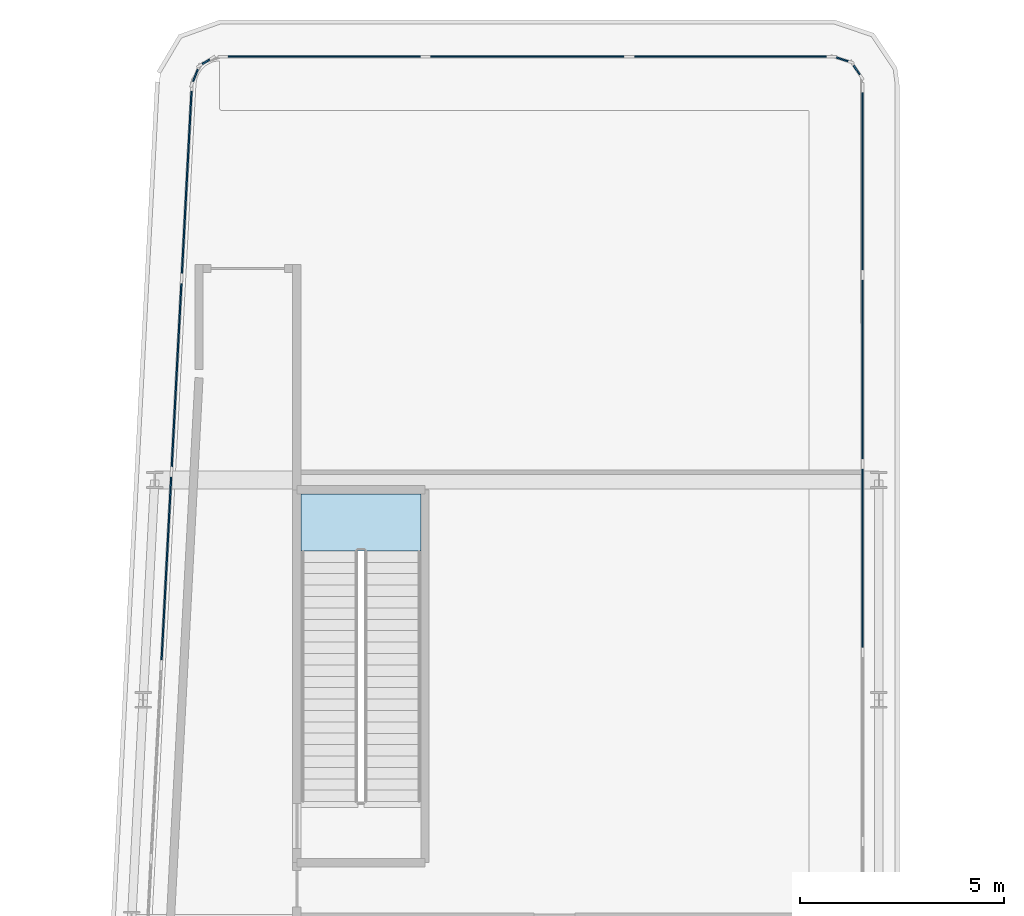
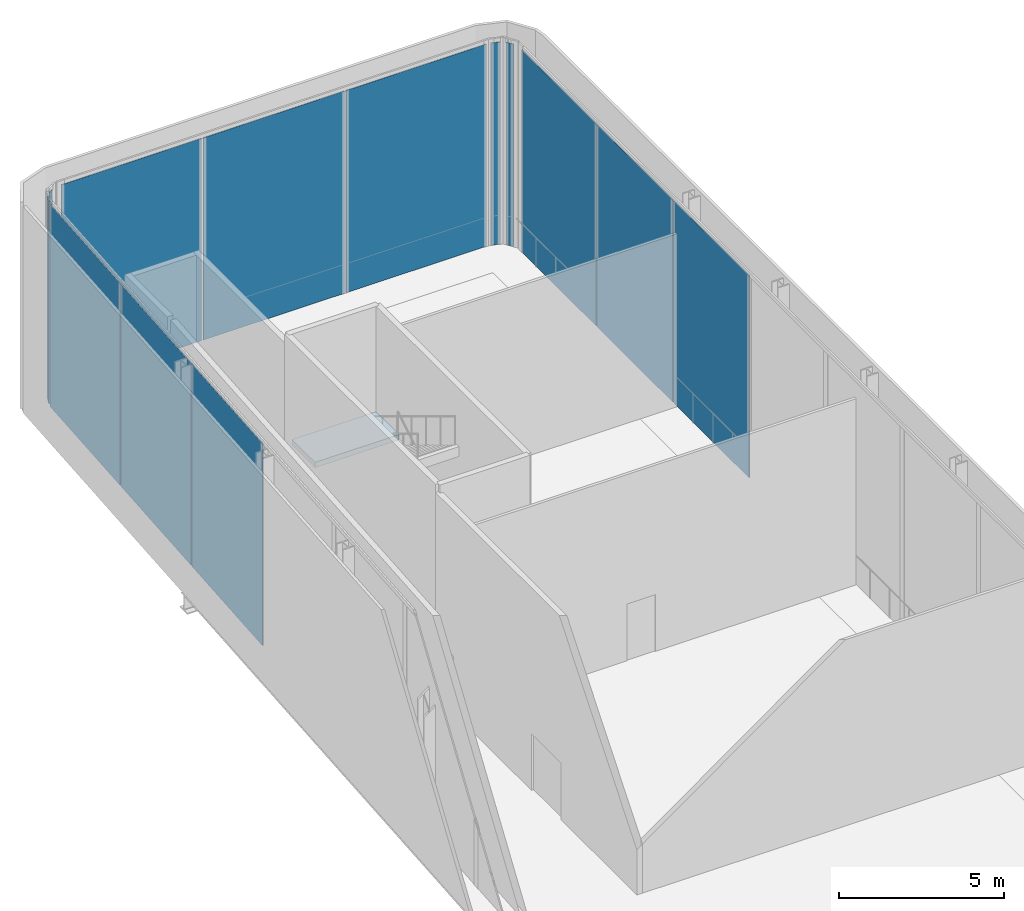
# One storey, part 25 of 38: 13 plates, 1 slab, 8 elements without a shape of their own.
"""IFC4 building model written with IfcOpenShell, lengths in metres."""

from ifc_helpers import new_model, si_unit, direction, frame, origin, origin_2d, place, context, subcontext, project, spatial, polyline, rectangle, outline, extrude, material, layer, layer_set, type_object, element, aggregate, save


model = new_model("IFC4")

# Units and contexts
model_context = context("Model", 3, precision=1e-05, world=origin(), true_north=direction((0.0, 1.0)))
body_context = subcontext(model_context, "Body", "Model", "MODEL_VIEW")
ifc_project = project(units=[si_unit("LENGTHUNIT", "METRE"), si_unit("AREAUNIT", "SQUARE_METRE"), si_unit("VOLUMEUNIT", "CUBIC_METRE"), si_unit("PLANEANGLEUNIT", "RADIAN"), si_unit("MASSUNIT", "GRAM", prefix="KILO")], contexts=[model_context])

# Site, building, storey
site_placement = place(None, origin())
site = spatial("IfcSite", under=ifc_project, at=site_placement, CompositionType="ELEMENT")
building_placement = place(site_placement, origin())
building = spatial("IfcBuilding", under=site, at=building_placement, Name="Kheshtan School and Residences Tower", CompositionType="ELEMENT")
storey_placement = place(building_placement, frame((0.0, 0.0, 203.300048828125)))
storey = spatial("IfcBuildingStorey", under=building, at=storey_placement, Name="L48", CompositionType="ELEMENT", Elevation=203.300048828125)

# Curtain wall, plates
ifc_material_1 = material(Name="Clear low-e glass in thermally broken aluminium frame", Category="aluminium")
ifc_layer_1 = layer(ifc_material_1, 0.25)
ifc_layer_set_1 = layer_set([ifc_layer_1], Name="Curtain wall CW-K")
curtain_wall_type = type_object("IfcCurtainWallType", Name="Curtain wall CW-K", PredefinedType="NOTDEFINED", material=ifc_layer_set_1)
curtain_wall_1_placement = place(storey_placement, origin())
curtain_wall_1 = element("IfcCurtainWall", 1, at=curtain_wall_1_placement, inside=storey, type_object=curtain_wall_type, Name="Curtain wall CWK18", PredefinedType="NOTDEFINED")
ifc_layer_2 = layer(ifc_material_1, 0.0380859375)
ifc_layer_set_2 = layer_set([ifc_layer_2], Name="CW-K glass panel")
plate_type = type_object("IfcPlateType", Name="CW-K glass panel", PredefinedType="CURTAIN_PANEL", material=ifc_layer_set_2)
plate_1_placement = place(storey_placement, frame((30.0966796875, 86.6259765625, 0.0), z_axis=(0.0, 0.0, 1.0), x_axis=(0.05256513568, 0.998617497599, 0.0)))
plate_1 = element("IfcPlate", 2, at=plate_1_placement, type_object=plate_type, Name="CWK18 panel 12.1", PredefinedType="CURTAIN_PANEL", context=body_context, shape_type="SweptSolid", body=[
    extrude(rectangle(XDim=4.69873046875, YDim=0.0380859375, at=origin_2d()), origin(), (0.0, 0.0, 1.0), 7.489990234375),
])
plate_2_placement = place(storey_placement, frame((30.346923828125, 91.3779296875, 0.0), z_axis=(0.0, 0.0, 1.0), x_axis=(0.05256513568, 0.998617497599, 0.0)))
plate_2 = element("IfcPlate", 3, at=plate_2_placement, type_object=plate_type, Name="CWK18 panel 13.1", PredefinedType="CURTAIN_PANEL", context=body_context, shape_type="SweptSolid", body=[
    extrude(rectangle(XDim=4.69873046875, YDim=0.0380859375, at=origin_2d()), origin(), (0.0, 0.0, 1.0), 7.489990234375),
])
plate_3_placement = place(storey_placement, frame((30.59619140625, 96.115234375, 0.0), z_axis=(0.0, 0.0, 1.0), x_axis=(0.05256513568, 0.998617497599, 0.0)))
plate_3 = element("IfcPlate", 4, at=plate_3_placement, type_object=plate_type, Name="CWK18 panel 14.1", PredefinedType="CURTAIN_PANEL", context=body_context, shape_type="SweptSolid", body=[
    extrude(rectangle(XDim=4.668701171875, YDim=0.0380859375, at=origin_2d()), origin(), (0.0, 0.0, 1.0), 7.489990234375),
])
aggregate(curtain_wall_1, [plate_1, plate_2, plate_3])

# Curtain wall, plate
curtain_wall_2_placement = place(storey_placement, origin())
curtain_wall_2 = element("IfcCurtainWall", 5, at=curtain_wall_2_placement, inside=storey, type_object=curtain_wall_type, Name="Curtain wall CWK19", PredefinedType="NOTDEFINED")
plate_4_placement = place(storey_placement, frame((30.8095703125, 98.739501953125, 0.0), z_axis=(0.0, 0.0, 1.0), x_axis=(0.370993348125, 0.928635523576, 0.0)))
plate_4 = element("IfcPlate", 6, at=plate_4_placement, type_object=plate_type, Name="CWK19 panel 1.1", PredefinedType="CURTAIN_PANEL", context=body_context, shape_type="SweptSolid", body=[
    extrude(rectangle(XDim=0.31396484375, YDim=0.0380859375, at=origin_2d()), origin(), (0.0, 0.0, 1.0), 7.489990234375),
])
aggregate(curtain_wall_2, [plate_4])

curtain_wall_3_placement = place(storey_placement, origin())
curtain_wall_3 = element("IfcCurtainWall", 7, at=curtain_wall_3_placement, inside=storey, type_object=curtain_wall_type, Name="Curtain wall CWK20", PredefinedType="NOTDEFINED")
plate_5_placement = place(storey_placement, frame((31.069580078125, 99.07470703125, 0.0), z_axis=(0.0, 0.0, 1.0), x_axis=(0.851763497749, 0.52392646803, 0.0)))
plate_5 = element("IfcPlate", 8, at=plate_5_placement, type_object=plate_type, Name="CWK20 panel 1.1", PredefinedType="CURTAIN_PANEL", context=body_context, shape_type="SweptSolid", body=[
    extrude(rectangle(XDim=0.206298828125, YDim=0.0380859375, at=origin_2d()), origin(), (0.0, 0.0, 1.0), 7.489990234375),
])
aggregate(curtain_wall_3, [plate_5])

# Curtain wall, plates
curtain_wall_4_placement = place(storey_placement, origin())
curtain_wall_4 = element("IfcCurtainWall", 9, at=curtain_wall_4_placement, inside=storey, type_object=curtain_wall_type, Name="Curtain wall CWK21", PredefinedType="NOTDEFINED")
plate_6_placement = place(storey_placement, frame((33.9716796875, 99.199951171875, 0.0), z_axis=(0.0, 0.0, 1.0), x_axis=(1.0, 0.0, 0.0)))
plate_6 = element("IfcPlate", 10, at=plate_6_placement, type_object=plate_type, Name="CWK21 panel 1.1", PredefinedType="CURTAIN_PANEL", context=body_context, shape_type="SweptSolid", body=[
    extrude(rectangle(XDim=4.915283203125, YDim=0.0380859375, at=origin_2d()), origin(), (0.0, 0.0, 1.0), 7.489990234375),
])
plate_7_placement = place(storey_placement, frame((38.9619140625, 99.199951171875, 0.0), z_axis=(0.0, 0.0, 1.0), x_axis=(1.0, 0.0, 0.0)))
plate_7 = element("IfcPlate", 11, at=plate_7_placement, type_object=plate_type, Name="CWK21 panel 2.1", PredefinedType="CURTAIN_PANEL", context=body_context, shape_type="SweptSolid", body=[
    extrude(rectangle(XDim=4.9453125, YDim=0.0380859375, at=origin_2d()), origin(), (0.0, 0.0, 1.0), 7.489990234375),
])
plate_8_placement = place(storey_placement, frame((43.952392578125, 99.199951171875, 0.0), z_axis=(0.0, 0.0, 1.0), x_axis=(1.0, 0.0, 0.0)))
plate_8 = element("IfcPlate", 12, at=plate_8_placement, type_object=plate_type, Name="CWK21 panel 3.1", PredefinedType="CURTAIN_PANEL", context=body_context, shape_type="SweptSolid", body=[
    extrude(rectangle(XDim=4.915283203125, YDim=0.0380859375, at=origin_2d()), origin(), (0.0, 0.0, 1.0), 7.489990234375),
])
aggregate(curtain_wall_4, [plate_6, plate_7, plate_8])

# Curtain wall, plate
curtain_wall_5_placement = place(storey_placement, origin())
curtain_wall_5 = element("IfcCurtainWall", 13, at=curtain_wall_5_placement, inside=storey, type_object=curtain_wall_type, Name="Curtain wall CWK22", PredefinedType="NOTDEFINED")
plate_9_placement = place(storey_placement, frame((46.697998046875, 99.13232421875, 0.0), z_axis=(0.0, 0.0, 1.0), x_axis=(0.952703792543, -0.303900450271, 0.0)))
plate_9 = element("IfcPlate", 14, at=plate_9_placement, type_object=plate_type, Name="CWK22 panel 1.1", PredefinedType="CURTAIN_PANEL", context=body_context, shape_type="SweptSolid", body=[
    extrude(rectangle(XDim=0.294677734375, YDim=0.0380859375, at=origin_2d()), origin(), (0.0, 0.0, 1.0), 7.489990234375),
])
aggregate(curtain_wall_5, [plate_9])

curtain_wall_6_placement = place(storey_placement, origin())
curtain_wall_6 = element("IfcCurtainWall", 15, at=curtain_wall_6_placement, inside=storey, type_object=curtain_wall_type, Name="Curtain wall CWK23", PredefinedType="NOTDEFINED")
plate_10_placement = place(storey_placement, frame((47.0546875, 98.8701171875, 0.0), z_axis=(0.0, 0.0, 1.0), x_axis=(0.555301678168, -0.831648992198, 0.0)))
plate_10 = element("IfcPlate", 16, at=plate_10_placement, type_object=plate_type, Name="CWK23 panel 1.1", PredefinedType="CURTAIN_PANEL", context=body_context, shape_type="SweptSolid", body=[
    extrude(rectangle(XDim=0.263671875, YDim=0.0380859375, at=origin_2d()), origin(), (0.0, 0.0, 1.0), 7.489990234375),
])
aggregate(curtain_wall_6, [plate_10])

# Curtain wall, plates
curtain_wall_7_placement = place(storey_placement, origin())
curtain_wall_7 = element("IfcCurtainWall", 17, at=curtain_wall_7_placement, inside=storey, type_object=curtain_wall_type, Name="Curtain wall CWK24", PredefinedType="NOTDEFINED")
plate_11_placement = place(storey_placement, frame((47.199951171875, 96.13671875, 0.0), z_axis=(0.0, 0.0, 1.0), x_axis=(0.0, -1.0, 0.0)))
plate_11 = element("IfcPlate", 18, at=plate_11_placement, type_object=plate_type, Name="CWK24 panel 1.1", PredefinedType="CURTAIN_PANEL", context=body_context, shape_type="SweptSolid", body=[
    extrude(rectangle(XDim=4.54638671875, YDim=0.0380859375, at=origin_2d()), origin(), (0.0, 0.0, 1.0), 7.489990234375),
])
plate_12_placement = place(storey_placement, frame((47.199951171875, 91.515380859375, 0.0), z_axis=(0.0, 0.0, 1.0), x_axis=(0.0, -1.0, 0.0)))
plate_12 = element("IfcPlate", 19, at=plate_12_placement, type_object=plate_type, Name="CWK24 panel 2.1", PredefinedType="CURTAIN_PANEL", context=body_context, shape_type="SweptSolid", body=[
    extrude(rectangle(XDim=4.576416015625, YDim=0.0380859375, at=origin_2d()), origin(), (0.0, 0.0, 1.0), 7.489990234375),
])
plate_13_placement = place(storey_placement, frame((47.199951171875, 86.87890625, 0.0), z_axis=(0.0, 0.0, 1.0), x_axis=(0.0, -1.0, 0.0)))
plate_13 = element("IfcPlate", 20, at=plate_13_placement, type_object=plate_type, Name="CWK24 panel 3.1", PredefinedType="CURTAIN_PANEL", context=body_context, shape_type="SweptSolid", body=[
    extrude(rectangle(XDim=4.576416015625, YDim=0.0380859375, at=origin_2d()), origin(), (0.0, 0.0, 1.0), 7.489990234375),
])
aggregate(curtain_wall_7, [plate_11, plate_12, plate_13])

# Stair, slab
ifc_material_2 = material(Name="Concrete C40/50", Category="concrete")
stair_type = type_object("IfcStairType", Name="Exit stair, half-turn", PredefinedType="HALF_TURN_STAIR", material=ifc_material_2)
stair_placement = place(storey_placement, origin())
stair = element("IfcStair", 21, at=stair_placement, inside=storey, type_object=stair_type, Name="L48 Protected Exit Stair ST3", PredefinedType="HALF_TURN_STAIR")
ifc_layer_3 = layer(ifc_material_2, 0.199951171875)
ifc_layer_set_3 = layer_set([ifc_layer_3], Name="Stair landing 200 Concrete C40/50")
slab_type = type_object("IfcSlabType", Name="Stair landing 200 Concrete C40/50", PredefinedType="LANDING", material=ifc_layer_set_3)
slab_placement = place(storey_placement, frame((0.0, 0.0, 3.699951171875)))
slab = element("IfcSlab", 22, at=slab_placement, type_object=slab_type, Name="ST3 landing 1", PredefinedType="LANDING", context=body_context, shape_type="SweptSolid", body=[
    extrude(outline(polyline([(36.35009765625, 87.06005859375), (36.35009765625, 88.4599609375), (33.39990234375, 88.4599609375), (33.39990234375, 87.06005859375), (36.35009765625, 87.06005859375)])), origin(), (0.0, 0.0, 1.0), 0.199951171875),
])
aggregate(stair, [slab])

save(model, "model.ifc")
